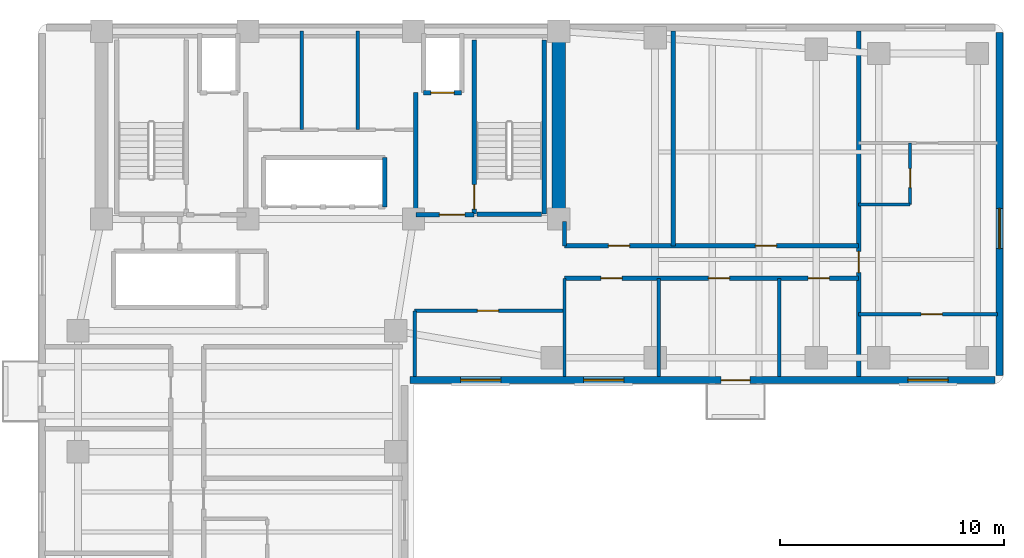
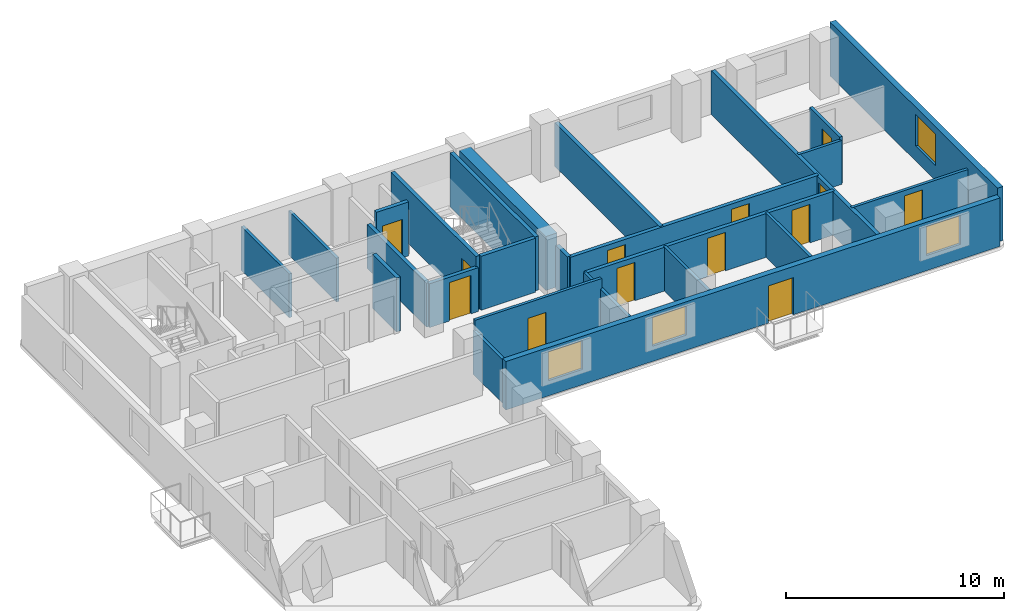
# One storey, part 4 of 7: 25 walls, 13 doors, 4 windows, 17 openings.
"""IFC4 building model written with IfcOpenShell, lengths in metres."""

import ifcopenshell
import ifcopenshell.guid

model = None  # the IFC model being written
_history = None  # IfcOwnerHistory: only IFC2X3 demands one
_inside = {}  # id of a spatial element -> (the spatial element, [elements in it])
_under = {}  # id of a project, library or spatial element -> (it, [spatial elements below it])
_declared = {}  # id of a project -> (the project, [libraries it declares])
_typed = {}  # id of a type object -> (the type object, [elements of that type])
_made_of = {}  # id of a material, layer set ... -> (it, [elements and type objects made of it])


def new_model(schema):
    """Start an empty IFC model of exactly this schema.

    Asked for "IFC4X3", IfcOpenShell would pick the latest addendum, in which some entities
    have other attributes; the version numbers below select the first issue.
    IFC2X3 requires an IfcOwnerHistory on every rooted entity: one is made here for all.
    """
    global model, _history
    if schema == "IFC4X3":
        model = ifcopenshell.file(schema_version=(4, 3, 0, 0))
    else:
        model = ifcopenshell.file(schema=schema)
    _inside.clear()
    _under.clear()
    _declared.clear()
    _typed.clear()
    _made_of.clear()
    _history = None
    if model.schema == "IFC2X3":
        org = make("IfcOrganization", Name="unknown")
        user = make(
            "IfcPersonAndOrganization",
            ThePerson=make("IfcPerson", FamilyName="unknown"),
            TheOrganization=org,
        )
        app = make(
            "IfcApplication",
            ApplicationDeveloper=org,
            Version="unknown",
            ApplicationFullName="unknown",
            ApplicationIdentifier="unknown",
        )
        _history = make(
            "IfcOwnerHistory",
            OwningUser=user,
            OwningApplication=app,
            ChangeAction="ADDED",
            CreationDate=0,
        )
    return model


def make(cls, **values):
    """One entity of the class cls with the attributes given. An attribute that is None is left unset."""
    return model.create_entity(
        cls, **{name: value for name, value in values.items() if value is not None}
    )


def rooted(cls, **values):
    """An entity with a GlobalId (a new one), such as an element, a storey or a relation."""
    return make(cls, GlobalId=ifcopenshell.guid.new(), OwnerHistory=_history, **values)


def si_unit(unit_type, name, prefix=None):
    """IfcSIUnit, for example si_unit("LENGTHUNIT", "METRE", prefix="MILLI")."""
    return make("IfcSIUnit", UnitType=unit_type, Prefix=prefix, Name=name)


def assignment(units):
    """IfcUnitAssignment: the units of a project."""
    return None if units is None else make("IfcUnitAssignment", Units=units)


def point(xyz):
    """IfcCartesianPoint."""
    return None if xyz is None else make("IfcCartesianPoint", Coordinates=xyz)


def direction(xyz):
    """IfcDirection."""
    return None if xyz is None else make("IfcDirection", DirectionRatios=xyz)


def frame(location, z_axis=None, x_axis=None):
    """IfcAxis2Placement3D, a coordinate frame: its origin and axes. An axis left out is left unset."""
    return make(
        "IfcAxis2Placement3D",
        Location=point(location),
        Axis=direction(z_axis),
        RefDirection=direction(x_axis),
    )


def frame_2d(location, x_axis=None):
    """IfcAxis2Placement2D, a coordinate frame in the plane: its origin and x axis."""
    return make(
        "IfcAxis2Placement2D", Location=point(location), RefDirection=direction(x_axis)
    )


def origin():
    """The frame at (0, 0, 0) with its axes left unset."""
    return frame((0.0, 0.0, 0.0))


def place(relative_to, where):
    """IfcLocalPlacement: puts the frame where relative to a parent placement (None: the world)."""
    return make(
        "IfcLocalPlacement", PlacementRelTo=relative_to, RelativePlacement=where
    )


def context(
    kind, dimensions, precision=None, world=None, true_north=None, identifier=None
):
    """IfcGeometricRepresentationContext, for example the 3D "Model" context."""
    return make(
        "IfcGeometricRepresentationContext",
        ContextIdentifier=identifier,
        ContextType=kind,
        CoordinateSpaceDimension=dimensions,
        Precision=precision,
        WorldCoordinateSystem=world,
        TrueNorth=true_north,
    )


def subcontext(parent, identifier, kind, view, scale=None):
    """IfcGeometricRepresentationSubContext, for example "Body" below "Model"."""
    return make(
        "IfcGeometricRepresentationSubContext",
        ContextIdentifier=identifier,
        ContextType=kind,
        ParentContext=parent,
        TargetScale=scale,
        TargetView=view,
    )


def project(units=None, contexts=None):
    """IfcProject with its units and contexts."""
    return rooted(
        "IfcProject",
        Name="project",
        RepresentationContexts=contexts,
        UnitsInContext=assignment(units),
    )


def spatial(cls, under=None, at=None, **own):
    """A site, building, storey or space (cls), placed at a placement, below another one or the project."""
    s = rooted(cls, ObjectPlacement=at, **own)
    if under is not None:
        _under.setdefault(under.id(), (under, []))[1].append(s)
    return s


def profile(cls, at=None, kind="AREA", **sizes):
    """A parametric profile (cls). Its sizes go by their IFC names, for example OverallWidth=200.0."""
    return make(cls, ProfileType=kind, Position=at, **sizes)


def rectangle(**sizes):
    """IfcRectangleProfileDef."""
    return profile("IfcRectangleProfileDef", **sizes)


def extrude(swept, where, along, depth):
    """IfcExtrudedAreaSolid: the profile swept, set in the frame where, extruded along a direction by depth."""
    return make(
        "IfcExtrudedAreaSolid",
        SweptArea=swept,
        Position=where,
        ExtrudedDirection=direction(along),
        Depth=depth,
    )


def shape(context_of_items, identifier, shape_type, items):
    """IfcShapeRepresentation: the items that make up one representation, for example the "Body"."""
    return make(
        "IfcShapeRepresentation",
        ContextOfItems=context_of_items,
        RepresentationIdentifier=identifier,
        RepresentationType=shape_type,
        Items=items,
    )


def material(Name=None, Category=None):
    """IfcMaterial."""
    return make("IfcMaterial", Name=Name, Category=Category)


def layer(
    of_material, thickness, ventilated=None, Name=None, Category=None, Priority=None
):
    """IfcMaterialLayer: one layer of a wall or slab, of a material (None: an air gap)."""
    return make(
        "IfcMaterialLayer",
        Material=of_material,
        LayerThickness=thickness,
        IsVentilated=ventilated,
        Name=Name,
        Category=Category,
        Priority=Priority,
    )


def layer_set(layers, Name=None):
    """IfcMaterialLayerSet."""
    return make("IfcMaterialLayerSet", MaterialLayers=layers, LayerSetName=Name)


def made_of(thing, what):
    """Note that an element or type object is made of a material, layer set ...; save() writes the relation."""
    if what is not None:
        _made_of.setdefault(what.id(), (what, []))[1].append(thing)
    return thing


def type_object(cls, material=None, **own):
    """A type object (cls), such as IfcWallType, which elements share."""
    return made_of(rooted(cls, **own), material)


def element(
    cls,
    number,
    at=None,
    inside=None,
    cuts=None,
    type_object=None,
    material=None,
    context=None,
    identifier="Body",
    shape_type=None,
    held_by="IfcProductDefinitionShape",
    body=None,
    shapes=None,
    **own,
):
    """One element of the class cls, such as IfcWall. Its Tag is "e" and its number.

    at: its placement. inside: the storey or other place that contains it. cuts: it is an
    opening in that element (IfcRelVoidsElement). A single representation is given by context,
    identifier, shape_type and body (its items); several are given by shapes. held_by: the class
    of the entity that holds the representations. save() writes the other relations.
    """
    e = rooted(cls, Tag="e%d" % number, ObjectPlacement=at, **own)
    if body is not None:
        shapes = [shape(context, identifier, shape_type, body)]
    if shapes is not None:
        e.Representation = make(held_by, Representations=shapes)
    if inside is not None:
        _inside.setdefault(inside.id(), (inside, []))[1].append(e)
    if cuts is not None:
        rooted(
            "IfcRelVoidsElement", RelatingBuildingElement=cuts, RelatedOpeningElement=e
        )
    if type_object is not None:
        _typed.setdefault(type_object.id(), (type_object, []))[1].append(e)
    return made_of(e, material)


def fill(opening, filler):
    """IfcRelFillsElement: the door or window that sits in an opening."""
    return rooted(
        "IfcRelFillsElement",
        RelatingOpeningElement=opening,
        RelatedBuildingElement=filler,
    )


def aggregate(whole, parts):
    """IfcRelAggregates: a whole, such as a stair, and the parts it consists of."""
    return rooted("IfcRelAggregates", RelatingObject=whole, RelatedObjects=parts)


def save(model, path):
    """Write the relations noted so far, then the file.

    IfcRelAggregates (storeys below a building ...), IfcRelContainedInSpatialStructure (elements
    in a storey), IfcRelDefinesByType, IfcRelAssociatesMaterial and IfcRelDeclares: one each for
    every whole, place, type object, material and project.
    """
    for whole, parts in _under.values():
        aggregate(whole, parts)
    for where, things in _inside.values():
        rooted(
            "IfcRelContainedInSpatialStructure",
            RelatedElements=things,
            RelatingStructure=where,
        )
    for kind, things in _typed.values():
        rooted("IfcRelDefinesByType", RelatedObjects=things, RelatingType=kind)
    for what, things in _made_of.values():
        rooted("IfcRelAssociatesMaterial", RelatedObjects=things, RelatingMaterial=what)
    for by, libraries in _declared.values():
        rooted("IfcRelDeclares", RelatingContext=by, RelatedDefinitions=libraries)
    model.write(path)


model = new_model("IFC4")

# Units and contexts
model_context = context("Model", 3, precision=1e-05, world=origin(), true_north=direction((0.0, 1.0)))
body_context = subcontext(model_context, "Body", "Model", "MODEL_VIEW")
ifc_project = project(units=[si_unit("LENGTHUNIT", "METRE"), si_unit("AREAUNIT", "SQUARE_METRE"), si_unit("VOLUMEUNIT", "CUBIC_METRE"), si_unit("PLANEANGLEUNIT", "RADIAN"), si_unit("MASSUNIT", "GRAM", prefix="KILO")], contexts=[model_context])

# Site, building, storey
site_placement = place(None, origin())
site = spatial("IfcSite", under=ifc_project, at=site_placement, CompositionType="ELEMENT")
building_placement = place(site_placement, origin())
building = spatial("IfcBuilding", under=site, at=building_placement, Name="Kuzgunbayir Cultural Tower", CompositionType="ELEMENT")
storey_placement = place(building_placement, frame((0.0, 0.0, 142.60009765625)))
storey = spatial("IfcBuildingStorey", under=building, at=storey_placement, Name="L41", CompositionType="ELEMENT", Elevation=142.60009765625)

# Wall
ifc_material_1 = material(Name="Concrete C60/75", Category="concrete")
ifc_layer_1 = layer(ifc_material_1, 0.60009765625)
ifc_layer_set_1 = layer_set([ifc_layer_1], Name="Concrete C60/75")
wall_type_1 = type_object("IfcWallType", Name="WAL-CORE-600", PredefinedType="SHEAR", material=ifc_layer_set_1)
wall_1_placement = place(storey_placement, frame((26.89990234375, 33.800048828125, 0.0), z_axis=(0.0, 0.0, 1.0), x_axis=(0.0, 1.0, 0.0)))
element("IfcWall", 1, at=wall_1_placement, inside=storey, type_object=wall_type_1, Name="L41 T1 Core East Shear Wall", PredefinedType="SHEAR", context=body_context, shape_type="SweptSolid", body=[
    extrude(rectangle(XDim=7.949951171875, YDim=0.60009765625, at=frame_2d((3.97509765625, 0.0))), origin(), (0.0, 0.0, 1.0), 3.02001953125),
])

# Wall, openings, door, windows
ifc_material_2 = material(Name="Anatolian Cream Limestone", Category="masonry")
ifc_layer_2 = layer(ifc_material_2, 0.300048828125)
ifc_layer_set_2 = layer_set([ifc_layer_2], Name="Anatolian Cream Limestone")
wall_type_2 = type_object("IfcWallType", Name="WAL-EXT-STONE-300", PredefinedType="STANDARD", material=ifc_layer_set_2)
wall_2_placement = place(storey_placement, frame((20.25, 26.60009765625, 0.0), z_axis=(0.0, 0.0, 1.0), x_axis=(1.0, 0.0, 0.0)))
wall_2 = element("IfcWall", 2, at=wall_2_placement, inside=storey, type_object=wall_type_2, Name="L41 Wing B South Limestone Wall", PredefinedType="STANDARD", context=body_context, shape_type="SweptSolid", body=[
    extrude(rectangle(XDim=26.14990234375, YDim=0.300048828125, at=frame_2d((13.074951171875, 0.0))), origin(), (0.0, 0.0, 1.0), 2.7099609375),
])
opening_1_placement = place(wall_2_placement, frame((13.89990234375, 0.0, 0.0)))
opening_1 = element("IfcOpeningElement", 3, at=opening_1_placement, cuts=wall_2, Name="Opening BD-13", PredefinedType="OPENING", context=body_context, shape_type="SweptSolid", body=[
    extrude(rectangle(XDim=1.300048828125, YDim=2.080078125, at=frame_2d((0.64990234375, 1.0400390625))), frame((0.0, 0.16015625, 0.0), z_axis=(0.0, -1.0, 0.0), x_axis=(1.0, 0.0, 0.0)), (0.0, 0.0, 1.0), 0.320068359375),
])
opening_2_placement = place(wall_2_placement, frame((2.25, 0.0, 0.85009765625)))
opening_2 = element("IfcOpeningElement", 4, at=opening_2_placement, cuts=wall_2, Name="Opening WH-18", PredefinedType="OPENING", context=body_context, shape_type="SweptSolid", body=[
    extrude(rectangle(XDim=1.800048828125, YDim=1.610107421875, at=frame_2d((0.89990234375, 0.80517578125))), frame((0.0, 0.16015625, 0.0), z_axis=(0.0, -1.0, 0.0), x_axis=(1.0, 0.0, 0.0)), (0.0, 0.0, 1.0), 0.320068359375),
])
opening_3_placement = place(wall_2_placement, frame((7.75, 0.0, 0.85009765625)))
opening_3 = element("IfcOpeningElement", 5, at=opening_3_placement, cuts=wall_2, Name="Opening WH-18", PredefinedType="OPENING", context=body_context, shape_type="SweptSolid", body=[
    extrude(rectangle(XDim=1.800048828125, YDim=1.610107421875, at=frame_2d((0.89990234375, 0.80517578125))), frame((0.0, 0.16015625, 0.0), z_axis=(0.0, -1.0, 0.0), x_axis=(1.0, 0.0, 0.0)), (0.0, 0.0, 1.0), 0.320068359375),
])
opening_4_placement = place(wall_2_placement, frame((22.25, 0.0, 0.85009765625)))
opening_4 = element("IfcOpeningElement", 6, at=opening_4_placement, cuts=wall_2, Name="Opening WH-18", PredefinedType="OPENING", context=body_context, shape_type="SweptSolid", body=[
    extrude(rectangle(XDim=1.800048828125, YDim=1.610107421875, at=frame_2d((0.89990234375, 0.80517578125))), frame((0.0, 0.16015625, 0.0), z_axis=(0.0, -1.0, 0.0), x_axis=(1.0, 0.0, 0.0)), (0.0, 0.0, 1.0), 0.320068359375),
])
ifc_material_3 = material(Name="Thermally Broken Glazed Aluminium", Category="aluminium")
door_type_1 = type_object("IfcDoorType", Name="DR-BALCONY-135", OperationType="SLIDING_TO_LEFT", PredefinedType="DOOR", material=ifc_material_3)
door_1_placement = place(opening_1_placement, origin())
door_1 = element("IfcDoor", 7, at=door_1_placement, inside=storey, type_object=door_type_1, Name="L41 South Balcony Sliding Door BAL-L41-WB2", OperationType="SLIDING_TO_LEFT", OverallHeight=2.080078125, OverallWidth=1.300048828125, PredefinedType="DOOR", context=body_context, shape_type="SweptSolid", body=[
    extrude(rectangle(XDim=1.300048828125, YDim=2.080078125, at=frame_2d((0.64990234375, 1.0400390625))), frame((0.0, 0.02490234375, 0.0), z_axis=(0.0, -1.0, 0.0), x_axis=(1.0, 0.0, 0.0)), (0.0, 0.0, 1.0), 0.050048828125),
])
fill(opening_1, door_1)
ifc_material_4 = material(Name="Solar-Control Triple Glazing", Category="glass")
window_type = type_object("IfcWindowType", Name="WIN-HOTEL-18", PartitioningType="SINGLE_PANEL", PredefinedType="WINDOW", material=ifc_material_4)
window_1_placement = place(opening_2_placement, origin())
window_1 = element("IfcWindow", 8, at=window_1_placement, inside=storey, type_object=window_type, Name="L41 WBS Facade Window 11", OverallHeight=1.610107421875, OverallWidth=1.800048828125, PartitioningType="SINGLE_PANEL", PredefinedType="WINDOW", context=body_context, shape_type="SweptSolid", body=[
    extrude(rectangle(XDim=1.800048828125, YDim=1.610107421875, at=frame_2d((0.89990234375, 0.80517578125))), frame((0.0, 0.030029296875, 0.0), z_axis=(0.0, -1.0, 0.0), x_axis=(1.0, 0.0, 0.0)), (0.0, 0.0, 1.0), 0.06005859375),
])
fill(opening_2, window_1)
window_2_placement = place(opening_3_placement, origin())
window_2 = element("IfcWindow", 9, at=window_2_placement, inside=storey, type_object=window_type, Name="L41 WBS Facade Window 12", OverallHeight=1.610107421875, OverallWidth=1.800048828125, PartitioningType="SINGLE_PANEL", PredefinedType="WINDOW", context=body_context, shape_type="SweptSolid", body=[
    extrude(rectangle(XDim=1.800048828125, YDim=1.610107421875, at=frame_2d((0.89990234375, 0.80517578125))), frame((0.0, 0.030029296875, 0.0), z_axis=(0.0, -1.0, 0.0), x_axis=(1.0, 0.0, 0.0)), (0.0, 0.0, 1.0), 0.06005859375),
])
fill(opening_3, window_2)
window_3_placement = place(opening_4_placement, origin())
window_3 = element("IfcWindow", 10, at=window_3_placement, inside=storey, type_object=window_type, Name="L41 WBS Facade Window 13", OverallHeight=1.610107421875, OverallWidth=1.800048828125, PartitioningType="SINGLE_PANEL", PredefinedType="WINDOW", context=body_context, shape_type="SweptSolid", body=[
    extrude(rectangle(XDim=1.800048828125, YDim=1.610107421875, at=frame_2d((0.89990234375, 0.80517578125))), frame((0.0, 0.030029296875, 0.0), z_axis=(0.0, -1.0, 0.0), x_axis=(1.0, 0.0, 0.0)), (0.0, 0.0, 1.0), 0.06005859375),
])
fill(opening_4, window_3)

# Wall, opening, window
wall_3_placement = place(storey_placement, frame((46.60009765625, 26.800048828125, 0.0), z_axis=(0.0, 0.0, 1.0), x_axis=(0.0, 1.0, 0.0)))
wall_3 = element("IfcWall", 11, at=wall_3_placement, inside=storey, type_object=wall_type_2, Name="L41 Wing B East Limestone Wall", PredefinedType="STANDARD", context=body_context, shape_type="SweptSolid", body=[
    extrude(rectangle(XDim=15.349853515625, YDim=0.300048828125, at=frame_2d((7.6748046875, 0.0))), origin(), (0.0, 0.0, 1.0), 3.02001953125),
])
opening_5_placement = place(wall_3_placement, frame((5.679931640625, 0.0, 0.85009765625)))
opening_5 = element("IfcOpeningElement", 12, at=opening_5_placement, cuts=wall_3, Name="Opening WH-18", PredefinedType="OPENING", context=body_context, shape_type="SweptSolid", body=[
    extrude(rectangle(XDim=1.800048828125, YDim=1.75, at=frame_2d((0.89990234375, 0.875))), frame((0.0, 0.16015625, 0.0), z_axis=(0.0, -1.0, 0.0), x_axis=(1.0, 0.0, 0.0)), (0.0, 0.0, 1.0), 0.320068359375),
])
window_4_placement = place(opening_5_placement, origin())
window_4 = element("IfcWindow", 13, at=window_4_placement, inside=storey, type_object=window_type, Name="L41 WBE Facade Window 4", OverallHeight=1.75, OverallWidth=1.800048828125, PartitioningType="SINGLE_PANEL", PredefinedType="WINDOW", context=body_context, shape_type="SweptSolid", body=[
    extrude(rectangle(XDim=1.800048828125, YDim=1.75, at=frame_2d((0.89990234375, 0.875))), frame((0.0, 0.030029296875, 0.0), z_axis=(0.0, -1.0, 0.0), x_axis=(1.0, 0.0, 0.0)), (0.0, 0.0, 1.0), 0.06005859375),
])
fill(opening_5, window_4)

# Walls
ifc_material_5 = material(Name="Acoustic Double-Stud Drywall", Category="gypsum")
ifc_layer_3 = layer(ifc_material_5, 0.14990234375)
ifc_layer_set_3 = layer_set([ifc_layer_3], Name="Acoustic Double-Stud Drywall")
wall_type_3 = type_object("IfcWallType", Name="WAL-PART-ACOUSTIC-150", PredefinedType="PARTITIONING", material=ifc_layer_set_3)
for number, where, z_axis, x_axis, name in (
    (14, (15.39990234375, 37.800048828125, 0.0), (0.0, 0.0, 1.0), (0.0, 1.0, 0.0), "L41 Core Pod Partition 1"),
    (15, (17.89990234375, 37.800048828125, 0.0), (0.0, 0.0, 1.0), (0.0, 1.0, 0.0), "L41 Core Pod Partition 2"),
):
    element("IfcWall", number, at=place(storey_placement, frame(where, z_axis=z_axis, x_axis=x_axis)), inside=storey, type_object=wall_type_3, Name=name, PredefinedType="PARTITIONING", context=body_context, shape_type="SweptSolid", body=[
        extrude(rectangle(XDim=4.39990234375, YDim=0.14990234375, at=frame_2d((2.199951171875, 0.0))), origin(), (0.0, 0.0, 1.0), 2.449951171875),
    ])

# Wall, opening, door
wall_4_placement = place(storey_placement, frame((20.449951171875, 29.699951171875, 0.0), z_axis=(0.0, 0.0, 1.0), x_axis=(1.0, 0.0, 0.0)))
wall_4 = element("IfcWall", 16, at=wall_4_placement, inside=storey, type_object=wall_type_3, Name="L41 Waist Alcove North Wall", PredefinedType="PARTITIONING", context=body_context, shape_type="SweptSolid", body=[
    extrude(rectangle(XDim=6.699951171875, YDim=0.14990234375, at=frame_2d((3.35009765625, 0.0))), origin(), (0.0, 0.0, 1.0), 3.02001953125),
])
opening_6_placement = place(wall_4_placement, frame((2.800048828125, 0.0, 0.0)))
opening_6 = element("IfcOpeningElement", 17, at=opening_6_placement, cuts=wall_4, Name="Opening DI-90", PredefinedType="OPENING", context=body_context, shape_type="SweptSolid", body=[
    extrude(rectangle(XDim=0.949951171875, YDim=2.14990234375, at=frame_2d((0.47509765625, 1.074951171875))), frame((0.0, 0.0849609375, 0.0), z_axis=(0.0, -1.0, 0.0), x_axis=(1.0, 0.0, 0.0)), (0.0, 0.0, 1.0), 0.169921875),
])
ifc_material_6 = material(Name="Veneered Oak Single Leaf", Category="wood")
door_type_2 = type_object("IfcDoorType", Name="DR-INT-90", OperationType="NOTDEFINED", PredefinedType="DOOR", material=ifc_material_6)
door_2_placement = place(opening_6_placement, origin())
door_2 = element("IfcDoor", 18, at=door_2_placement, inside=storey, type_object=door_type_2, Name="L41 Waist Alcove Door", OperationType="SINGLE_SWING_LEFT", OverallHeight=2.14990234375, OverallWidth=0.949951171875, PredefinedType="DOOR", context=body_context, shape_type="SweptSolid", body=[
    extrude(rectangle(XDim=0.949951171875, YDim=2.14990234375, at=frame_2d((0.47509765625, 1.074951171875))), frame((0.0, 0.02490234375, 0.0), z_axis=(0.0, -1.0, 0.0), x_axis=(1.0, 0.0, 0.0)), (0.0, 0.0, 1.0), 0.050048828125),
])
fill(opening_6, door_2)

# Walls
wall_5_placement = place(storey_placement, frame((20.449951171875, 26.75, 0.0), z_axis=(0.0, 0.0, 1.0), x_axis=(0.0, 1.0, 0.0)))
element("IfcWall", 19, at=wall_5_placement, inside=storey, type_object=wall_type_3, Name="L41 Waist Alcove West Wall", PredefinedType="PARTITIONING", context=body_context, shape_type="SweptSolid", body=[
    extrude(rectangle(XDim=2.949951171875, YDim=0.14990234375, at=frame_2d((1.47509765625, 0.0))), origin(), (0.0, 0.0, 1.0), 2.449951171875),
])
for number, where, z_axis, x_axis, name in (
    (20, (27.14990234375, 26.75, 0.0), (0.0, 0.0, 1.0), (0.0, 1.0, 0.0), "L41 Waist Alcove East Wall"),
    (21, (31.360107421875, 26.75, 0.0), (0.0, 0.0, 1.0), (0.0, 1.0, 0.0), "L41 Wing B South Divider 1"),
    (22, (36.75, 26.75, 0.0), (0.0, 0.0, 1.0), (0.0, 1.0, 0.0), "L41 Wing B South Divider 2"),
):
    element("IfcWall", number, at=place(storey_placement, frame(where, z_axis=z_axis, x_axis=x_axis)), inside=storey, type_object=wall_type_3, Name=name, PredefinedType="PARTITIONING", context=body_context, shape_type="SweptSolid", body=[
        extrude(rectangle(XDim=4.39990234375, YDim=0.14990234375, at=frame_2d((2.199951171875, 0.0))), origin(), (0.0, 0.0, 1.0), 2.449951171875),
    ])
ifc_material_7 = material(Name="Aerated Concrete Blockwork", Category="masonry")
ifc_layer_4 = layer(ifc_material_7, 0.199951171875)
ifc_layer_set_4 = layer_set([ifc_layer_4], Name="Aerated Concrete Blockwork")
wall_type_4 = type_object("IfcWallType", Name="WAL-PART-FIRE-200", PredefinedType="PARTITIONING", material=ifc_layer_set_4)
wall_6_placement = place(storey_placement, frame((20.5, 34.0, 0.0), z_axis=(0.0, 0.0, 1.0), x_axis=(0.0, 1.0, 0.0)))
element("IfcWall", 23, at=wall_6_placement, inside=storey, type_object=wall_type_4, Name="L41 FFL-2 Lobby West Fire Wall", PredefinedType="PARTITIONING", context=body_context, shape_type="SweptSolid", body=[
    extrude(rectangle(XDim=5.449951171875, YDim=0.199951171875, at=frame_2d((2.72509765625, 0.0))), origin(), (0.0, 0.0, 1.0), 2.449951171875),
])

# Wall, opening, door
wall_7_placement = place(storey_placement, frame((20.5, 34.0, 0.0), z_axis=(0.0, 0.0, 1.0), x_axis=(1.0, 0.0, 0.0)))
wall_7 = element("IfcWall", 24, at=wall_7_placement, inside=storey, type_object=wall_type_4, Name="L41 FFL-2 Lobby South Fire Wall", PredefinedType="PARTITIONING", context=body_context, shape_type="SweptSolid", body=[
    extrude(rectangle(XDim=2.60009765625, YDim=0.199951171875, at=frame_2d((1.300048828125, 0.0))), origin(), (0.0, 0.0, 1.0), 2.449951171875),
])
opening_7_placement = place(wall_7_placement, frame((1.050048828125, 0.0, 0.0)))
opening_7 = element("IfcOpeningElement", 25, at=opening_7_placement, cuts=wall_7, Name="Opening DR-FFL-90", PredefinedType="OPENING", context=body_context, shape_type="SweptSolid", body=[
    extrude(rectangle(XDim=1.14990234375, YDim=2.14990234375, at=frame_2d((0.574951171875, 1.074951171875))), frame((0.0, 0.10986328125, 0.0), z_axis=(0.0, -1.0, 0.0), x_axis=(1.0, 0.0, 0.0)), (0.0, 0.0, 1.0), 0.219970703125),
])
ifc_material_8 = material(Name="Steel S355J2", Category="steel")
door_type_3 = type_object("IfcDoorType", Name="DR-FFL-90", OperationType="NOTDEFINED", PredefinedType="DOOR", material=ifc_material_8)
door_3_placement = place(opening_7_placement, origin())
door_3 = element("IfcDoor", 26, at=door_3_placement, inside=storey, type_object=door_type_3, Name="L41 Firefighting Lobby 2 Door", OperationType="SINGLE_SWING_RIGHT", OverallHeight=2.14990234375, OverallWidth=1.14990234375, PredefinedType="DOOR", context=body_context, shape_type="SweptSolid", body=[
    extrude(rectangle(XDim=1.14990234375, YDim=2.14990234375, at=frame_2d((0.574951171875, 1.074951171875))), frame((0.0, 0.02490234375, 0.0), z_axis=(0.0, -1.0, 0.0), x_axis=(1.0, 0.0, 0.0)), (0.0, 0.0, 1.0), 0.050048828125),
])
fill(opening_7, door_3)

# Wall, openings, doors
wall_8_placement = place(storey_placement, frame((27.14990234375, 31.14990234375, 0.0), z_axis=(0.0, 0.0, 1.0), x_axis=(1.0, 0.0, 0.0)))
wall_8 = element("IfcWall", 27, at=wall_8_placement, inside=storey, type_object=wall_type_4, Name="L41 Wing B Hotel Corridor South Wall", PredefinedType="PARTITIONING", context=body_context, shape_type="SweptSolid", body=[
    extrude(rectangle(XDim=13.150146484375, YDim=0.199951171875, at=frame_2d((6.5751953125, 0.0))), origin(), (0.0, 0.0, 1.0), 2.449951171875),
])
opening_8_placement = place(wall_8_placement, frame((1.6298828125, 0.0, 0.0)))
opening_8 = element("IfcOpeningElement", 28, at=opening_8_placement, cuts=wall_8, Name="Opening DI-90", PredefinedType="OPENING", context=body_context, shape_type="SweptSolid", body=[
    extrude(rectangle(XDim=0.949951171875, YDim=2.14990234375, at=frame_2d((0.47509765625, 1.074951171875))), frame((0.0, 0.10986328125, 0.0), z_axis=(0.0, -1.0, 0.0), x_axis=(1.0, 0.0, 0.0)), (0.0, 0.0, 1.0), 0.219970703125),
])
opening_9_placement = place(wall_8_placement, frame((6.429931640625, 0.0, 0.0)))
opening_9 = element("IfcOpeningElement", 29, at=opening_9_placement, cuts=wall_8, Name="Opening DI-90", PredefinedType="OPENING", context=body_context, shape_type="SweptSolid", body=[
    extrude(rectangle(XDim=0.949951171875, YDim=2.14990234375, at=frame_2d((0.47509765625, 1.074951171875))), frame((0.0, 0.10986328125, 0.0), z_axis=(0.0, -1.0, 0.0), x_axis=(1.0, 0.0, 0.0)), (0.0, 0.0, 1.0), 0.219970703125),
])
opening_10_placement = place(wall_8_placement, frame((10.889892578125, 0.0, 0.0)))
opening_10 = element("IfcOpeningElement", 30, at=opening_10_placement, cuts=wall_8, Name="Opening DI-90", PredefinedType="OPENING", context=body_context, shape_type="SweptSolid", body=[
    extrude(rectangle(XDim=0.949951171875, YDim=2.14990234375, at=frame_2d((0.47509765625, 1.074951171875))), frame((0.0, 0.10986328125, 0.0), z_axis=(0.0, -1.0, 0.0), x_axis=(1.0, 0.0, 0.0)), (0.0, 0.0, 1.0), 0.219970703125),
])
door_4_placement = place(opening_8_placement, origin())
door_4 = element("IfcDoor", 31, at=door_4_placement, inside=storey, type_object=door_type_2, Name="L41 Fellows Reading Lounge B1 Door", OperationType="SINGLE_SWING_RIGHT", OverallHeight=2.14990234375, OverallWidth=0.949951171875, PredefinedType="DOOR", context=body_context, shape_type="SweptSolid", body=[
    extrude(rectangle(XDim=0.949951171875, YDim=2.14990234375, at=frame_2d((0.47509765625, 1.074951171875))), frame((0.0, 0.02490234375, 0.0), z_axis=(0.0, -1.0, 0.0), x_axis=(1.0, 0.0, 0.0)), (0.0, 0.0, 1.0), 0.050048828125),
])
fill(opening_8, door_4)
door_5_placement = place(opening_9_placement, origin())
door_5 = element("IfcDoor", 32, at=door_5_placement, inside=storey, type_object=door_type_2, Name="L41 Fellows Reading Lounge B2 Door", OperationType="SINGLE_SWING_LEFT", OverallHeight=2.14990234375, OverallWidth=0.949951171875, PredefinedType="DOOR", context=body_context, shape_type="SweptSolid", body=[
    extrude(rectangle(XDim=0.949951171875, YDim=2.14990234375, at=frame_2d((0.47509765625, 1.074951171875))), frame((0.0, 0.02490234375, 0.0), z_axis=(0.0, -1.0, 0.0), x_axis=(1.0, 0.0, 0.0)), (0.0, 0.0, 1.0), 0.050048828125),
])
fill(opening_9, door_5)
door_6_placement = place(opening_10_placement, origin())
door_6 = element("IfcDoor", 33, at=door_6_placement, inside=storey, type_object=door_type_2, Name="L41 Fellows Reading Lounge B3 Door", OperationType="SINGLE_SWING_RIGHT", OverallHeight=2.14990234375, OverallWidth=0.949951171875, PredefinedType="DOOR", context=body_context, shape_type="SweptSolid", body=[
    extrude(rectangle(XDim=0.949951171875, YDim=2.14990234375, at=frame_2d((0.47509765625, 1.074951171875))), frame((0.0, 0.02490234375, 0.0), z_axis=(0.0, -1.0, 0.0), x_axis=(1.0, 0.0, 0.0)), (0.0, 0.0, 1.0), 0.050048828125),
])
fill(opening_10, door_6)

wall_9_placement = place(storey_placement, frame((27.14990234375, 32.60009765625, 0.0), z_axis=(0.0, 0.0, 1.0), x_axis=(1.0, 0.0, 0.0)))
wall_9 = element("IfcWall", 34, at=wall_9_placement, inside=storey, type_object=wall_type_4, Name="L41 Wing B Hotel Corridor North Wall", PredefinedType="PARTITIONING", context=body_context, shape_type="SweptSolid", body=[
    extrude(rectangle(XDim=13.150146484375, YDim=0.199951171875, at=frame_2d((6.5751953125, 0.0))), origin(), (0.0, 0.0, 1.0), 2.449951171875),
])
opening_11_placement = place(wall_9_placement, frame((1.9599609375, 0.0, 0.0)))
opening_11 = element("IfcOpeningElement", 35, at=opening_11_placement, cuts=wall_9, Name="Opening DI-90", PredefinedType="OPENING", context=body_context, shape_type="SweptSolid", body=[
    extrude(rectangle(XDim=0.949951171875, YDim=2.14990234375, at=frame_2d((0.47509765625, 1.074951171875))), frame((0.0, 0.10986328125, 0.0), z_axis=(0.0, -1.0, 0.0), x_axis=(1.0, 0.0, 0.0)), (0.0, 0.0, 1.0), 0.219970703125),
])
opening_12_placement = place(wall_9_placement, frame((8.530029296875, 0.0, 0.0)))
opening_12 = element("IfcOpeningElement", 36, at=opening_12_placement, cuts=wall_9, Name="Opening DI-90", PredefinedType="OPENING", context=body_context, shape_type="SweptSolid", body=[
    extrude(rectangle(XDim=0.949951171875, YDim=2.14990234375, at=frame_2d((0.47509765625, 1.074951171875))), frame((0.0, 0.10986328125, 0.0), z_axis=(0.0, -1.0, 0.0), x_axis=(1.0, 0.0, 0.0)), (0.0, 0.0, 1.0), 0.219970703125),
])
door_7_placement = place(opening_11_placement, origin())
door_7 = element("IfcDoor", 37, at=door_7_placement, inside=storey, type_object=door_type_2, Name="L41 North Fellows Reading Lounge 1 Door", OperationType="SINGLE_SWING_LEFT", OverallHeight=2.14990234375, OverallWidth=0.949951171875, PredefinedType="DOOR", context=body_context, shape_type="SweptSolid", body=[
    extrude(rectangle(XDim=0.949951171875, YDim=2.14990234375, at=frame_2d((0.47509765625, 1.074951171875))), frame((0.0, 0.02490234375, 0.0), z_axis=(0.0, -1.0, 0.0), x_axis=(1.0, 0.0, 0.0)), (0.0, 0.0, 1.0), 0.050048828125),
])
fill(opening_11, door_7)
door_8_placement = place(opening_12_placement, origin())
door_8 = element("IfcDoor", 38, at=door_8_placement, inside=storey, type_object=door_type_2, Name="L41 North Wellness Consultation Studio 2 Door", OperationType="SINGLE_SWING_RIGHT", OverallHeight=2.14990234375, OverallWidth=0.949951171875, PredefinedType="DOOR", context=body_context, shape_type="SweptSolid", body=[
    extrude(rectangle(XDim=0.949951171875, YDim=2.14990234375, at=frame_2d((0.47509765625, 1.074951171875))), frame((0.0, 0.02490234375, 0.0), z_axis=(0.0, -1.0, 0.0), x_axis=(1.0, 0.0, 0.0)), (0.0, 0.0, 1.0), 0.050048828125),
])
fill(opening_12, door_8)

# Wall
wall_10_placement = place(storey_placement, frame((27.14990234375, 32.60009765625, 0.0), z_axis=(0.0, 0.0, 1.0), x_axis=(0.0, 1.0, 0.0)))
element("IfcWall", 39, at=wall_10_placement, inside=storey, type_object=wall_type_4, Name="L41 Wing B North Core Closure Wall", PredefinedType="PARTITIONING", context=body_context, shape_type="SweptSolid", body=[
    extrude(rectangle(XDim=1.079833984375, YDim=0.199951171875, at=frame_2d((0.5400390625, 0.0))), origin(), (0.0, 0.0, 1.0), 2.449951171875),
])

# Wall, opening, door
wall_11_placement = place(storey_placement, frame((40.300048828125, 26.75, 0.0), z_axis=(0.0, 0.0, 1.0), x_axis=(0.0, 1.0, 0.0)))
wall_11 = element("IfcWall", 40, at=wall_11_placement, inside=storey, type_object=wall_type_4, Name="L41 Wing B East Suite Wall", PredefinedType="PARTITIONING", context=body_context, shape_type="SweptSolid", body=[
    extrude(rectangle(XDim=15.449951171875, YDim=0.199951171875, at=frame_2d((7.72509765625, 0.0))), origin(), (0.0, 0.0, 1.0), 2.449951171875),
])
opening_13_placement = place(wall_11_placement, frame((4.64990234375, 0.0, 0.0)))
opening_13 = element("IfcOpeningElement", 41, at=opening_13_placement, cuts=wall_11, Name="Opening DR-APT-60", PredefinedType="OPENING", context=body_context, shape_type="SweptSolid", body=[
    extrude(rectangle(XDim=0.949951171875, YDim=2.14990234375, at=frame_2d((0.47509765625, 1.074951171875))), frame((0.0, 0.10986328125, 0.0), z_axis=(0.0, -1.0, 0.0), x_axis=(1.0, 0.0, 0.0)), (0.0, 0.0, 1.0), 0.219970703125),
])
ifc_material_9 = material(Name="Acoustic Fire Timber Leaf", Category="wood")
door_type_4 = type_object("IfcDoorType", Name="DR-APT-60", OperationType="NOTDEFINED", PredefinedType="DOOR", material=ifc_material_9)
door_9_placement = place(opening_13_placement, origin())
door_9 = element("IfcDoor", 42, at=door_9_placement, inside=storey, type_object=door_type_4, Name="L41 Corner Suite Entrance", OperationType="SINGLE_SWING_RIGHT", OverallHeight=2.14990234375, OverallWidth=0.949951171875, PredefinedType="DOOR", context=body_context, shape_type="SweptSolid", body=[
    extrude(rectangle(XDim=0.949951171875, YDim=2.14990234375, at=frame_2d((0.47509765625, 1.074951171875))), frame((0.0, 0.02490234375, 0.0), z_axis=(0.0, -1.0, 0.0), x_axis=(1.0, 0.0, 0.0)), (0.0, 0.0, 1.0), 0.050048828125),
])
fill(opening_13, door_9)

# Wall
wall_12_placement = place(storey_placement, frame((32.02001953125, 32.60009765625, 0.0), z_axis=(0.0, 0.0, 1.0), x_axis=(0.0, 1.0, 0.0)))
element("IfcWall", 43, at=wall_12_placement, inside=storey, type_object=wall_type_4, Name="L41 Wing B North Party Wall 1", PredefinedType="PARTITIONING", context=body_context, shape_type="SweptSolid", body=[
    extrude(rectangle(XDim=9.599853515625, YDim=0.199951171875, at=frame_2d((4.7998046875, 0.0))), origin(), (0.0, 0.0, 1.0), 2.449951171875),
])

# Wall, opening, door
ifc_material_10 = material(Name="Moisture-Resistant Tile Partition", Category="gypsum")
ifc_layer_5 = layer(ifc_material_10, 0.14990234375)
ifc_layer_set_5 = layer_set([ifc_layer_5], Name="Moisture-Resistant Tile Partition")
wall_type_5 = type_object("IfcWallType", Name="WAL-PART-WET-150", PredefinedType="PARTITIONING", material=ifc_layer_set_5)
wall_13_placement = place(storey_placement, frame((40.300048828125, 29.550048828125, 0.0), z_axis=(0.0, 0.0, 1.0), x_axis=(1.0, 0.0, 0.0)))
wall_13 = element("IfcWall", 44, at=wall_13_placement, inside=storey, type_object=wall_type_5, Name="L41 Corner Suite Kitchen Wall", PredefinedType="PARTITIONING", context=body_context, shape_type="SweptSolid", body=[
    extrude(rectangle(XDim=6.199951171875, YDim=0.14990234375, at=frame_2d((3.10009765625, 0.0))), origin(), (0.0, 0.0, 1.0), 2.449951171875),
])
opening_14_placement = place(wall_13_placement, frame((2.7900390625, 0.0, 0.0)))
opening_14 = element("IfcOpeningElement", 45, at=opening_14_placement, cuts=wall_13, Name="Opening DI-90", PredefinedType="OPENING", context=body_context, shape_type="SweptSolid", body=[
    extrude(rectangle(XDim=0.949951171875, YDim=2.14990234375, at=frame_2d((0.47509765625, 1.074951171875))), frame((0.0, 0.0849609375, 0.0), z_axis=(0.0, -1.0, 0.0), x_axis=(1.0, 0.0, 0.0)), (0.0, 0.0, 1.0), 0.169921875),
])
door_10_placement = place(opening_14_placement, origin())
door_10 = element("IfcDoor", 46, at=door_10_placement, inside=storey, type_object=door_type_2, Name="L41 Corner Suite Kitchen Door", OperationType="SINGLE_SWING_LEFT", OverallHeight=2.14990234375, OverallWidth=0.949951171875, PredefinedType="DOOR", context=body_context, shape_type="SweptSolid", body=[
    extrude(rectangle(XDim=0.949951171875, YDim=2.14990234375, at=frame_2d((0.47509765625, 1.074951171875))), frame((0.0, 0.02490234375, 0.0), z_axis=(0.0, -1.0, 0.0), x_axis=(1.0, 0.0, 0.0)), (0.0, 0.0, 1.0), 0.050048828125),
])
fill(opening_14, door_10)

# Wall
wall_14_placement = place(storey_placement, frame((40.300048828125, 34.449951171875, 0.0), z_axis=(0.0, 0.0, 1.0), x_axis=(1.0, 0.0, 0.0)))
element("IfcWall", 47, at=wall_14_placement, inside=storey, type_object=wall_type_5, Name="L41 Corner Suite Bath South Wall", PredefinedType="PARTITIONING", context=body_context, shape_type="SweptSolid", body=[
    extrude(rectangle(XDim=2.300048828125, YDim=0.14990234375, at=frame_2d((1.14990234375, 0.0))), origin(), (0.0, 0.0, 1.0), 2.449951171875),
])

# Wall, opening, door
wall_15_placement = place(storey_placement, frame((42.60009765625, 34.449951171875, 0.0), z_axis=(0.0, 0.0, 1.0), x_axis=(0.0, 1.0, 0.0)))
wall_15 = element("IfcWall", 48, at=wall_15_placement, inside=storey, type_object=wall_type_5, Name="L41 Corner Suite Bath East Wall", PredefinedType="PARTITIONING", context=body_context, shape_type="SweptSolid", body=[
    extrude(rectangle(XDim=2.75, YDim=0.14990234375, at=frame_2d((1.375, 0.0))), origin(), (0.0, 0.0, 1.0), 2.60986328125),
])
opening_15_placement = place(wall_15_placement, frame((0.75, 0.0, 0.0)))
opening_15 = element("IfcOpeningElement", 49, at=opening_15_placement, cuts=wall_15, Name="Opening DW-85", PredefinedType="OPENING", context=body_context, shape_type="SweptSolid", body=[
    extrude(rectangle(XDim=0.85009765625, YDim=2.10009765625, at=frame_2d((0.425048828125, 1.050048828125))), frame((0.0, 0.0849609375, 0.0), z_axis=(0.0, -1.0, 0.0), x_axis=(1.0, 0.0, 0.0)), (0.0, 0.0, 1.0), 0.169921875),
])
ifc_material_11 = material(Name="Laminate Moisture-Resistant Leaf", Category="wood")
door_type_5 = type_object("IfcDoorType", Name="DR-WET-85", OperationType="NOTDEFINED", PredefinedType="DOOR", material=ifc_material_11)
door_11_placement = place(opening_15_placement, origin())
door_11 = element("IfcDoor", 50, at=door_11_placement, inside=storey, type_object=door_type_5, Name="L41 Corner Suite Bathroom Door", OperationType="SINGLE_SWING_RIGHT", OverallHeight=2.10009765625, OverallWidth=0.85009765625, PredefinedType="DOOR", context=body_context, shape_type="SweptSolid", body=[
    extrude(rectangle(XDim=0.85009765625, YDim=2.10009765625, at=frame_2d((0.425048828125, 1.050048828125))), frame((0.0, 0.02490234375, 0.0), z_axis=(0.0, -1.0, 0.0), x_axis=(1.0, 0.0, 0.0)), (0.0, 0.0, 1.0), 0.050048828125),
])
fill(opening_15, door_11)

ifc_material_12 = material(Name="Concrete C40/50", Category="concrete")
ifc_layer_6 = layer(ifc_material_12, 0.199951171875)
ifc_layer_set_6 = layer_set([ifc_layer_6], Name="Concrete C40/50")
wall_type_6 = type_object("IfcWallType", Name="WAL-SHAFT-200", PredefinedType="MOVABLE", material=ifc_layer_set_6)
wall_16_placement = place(storey_placement, frame((20.85009765625, 39.449951171875, 0.0), z_axis=(0.0, 0.0, 1.0), x_axis=(1.0, 0.0, 0.0)))
wall_16 = element("IfcWall", 51, at=wall_16_placement, inside=storey, type_object=wall_type_6, Name="L41 FFL-2 Lift Front Wall", PredefinedType="MOVABLE", context=body_context, shape_type="SweptSolid", body=[
    extrude(rectangle(XDim=1.699951171875, YDim=0.199951171875, at=frame_2d((0.85009765625, 0.0))), origin(), (0.0, 0.0, 1.0), 3.02001953125),
])
opening_16_placement = place(wall_16_placement, frame((0.320068359375, 0.0, 0.0)))
opening_16 = element("IfcOpeningElement", 52, at=opening_16_placement, cuts=wall_16, Name="Opening LD", PredefinedType="OPENING", context=body_context, shape_type="SweptSolid", body=[
    extrude(rectangle(XDim=1.050048828125, YDim=2.14990234375, at=frame_2d((0.52490234375, 1.074951171875))), frame((0.0, 0.10986328125, 0.0), z_axis=(0.0, -1.0, 0.0), x_axis=(1.0, 0.0, 0.0)), (0.0, 0.0, 1.0), 0.219970703125),
])
ifc_material_13 = material(Name="Brushed Stainless Steel", Category="steel")
door_type_6 = type_object("IfcDoorType", Name="DR-LIFT-LANDING", OperationType="SLIDING_TO_LEFT", PredefinedType="DOOR", material=ifc_material_13)
door_12_placement = place(opening_16_placement, origin())
door_12 = element("IfcDoor", 53, at=door_12_placement, inside=storey, type_object=door_type_6, Name="L41 Lift FFL-2 Landing Door", OperationType="SLIDING_TO_LEFT", OverallHeight=2.14990234375, OverallWidth=1.050048828125, PredefinedType="DOOR", context=body_context, shape_type="SweptSolid", body=[
    extrude(rectangle(XDim=1.050048828125, YDim=2.14990234375, at=frame_2d((0.52490234375, 1.074951171875))), frame((0.0, 0.02490234375, 0.0), z_axis=(0.0, -1.0, 0.0), x_axis=(1.0, 0.0, 0.0)), (0.0, 0.0, 1.0), 0.050048828125),
])
fill(opening_16, door_12)

# Wall
wall_17_placement = place(storey_placement, frame((19.1201171875, 34.35009765625, 0.0), z_axis=(0.0, 0.0, 1.0), x_axis=(0.0, 1.0, 0.0)))
element("IfcWall", 54, at=wall_17_placement, inside=storey, type_object=wall_type_6, Name="L41 Mid-Rise Lift Shaft East Wall", PredefinedType="MOVABLE", context=body_context, shape_type="SweptSolid", body=[
    extrude(rectangle(XDim=2.199951171875, YDim=0.199951171875, at=frame_2d((1.10009765625, 0.0))), origin(), (0.0, 0.0, 1.0), 3.02001953125),
])

# Wall, opening, door
ifc_layer_7 = layer(ifc_material_12, 0.199951171875)
ifc_layer_set_7 = layer_set([ifc_layer_7], Name="Concrete C40/50")
wall_type_7 = type_object("IfcWallType", Name="WAL-STAIR-RC-200", PredefinedType="SHEAR", material=ifc_layer_set_7)
wall_18_placement = place(storey_placement, frame((23.1201171875, 34.02001953125, 0.0), z_axis=(0.0, 0.0, 1.0), x_axis=(0.0, 1.0, 0.0)))
wall_18 = element("IfcWall", 55, at=wall_18_placement, inside=storey, type_object=wall_type_7, Name="L41 Stair ST-2 West Structural Wall", PredefinedType="SHEAR", context=body_context, shape_type="SweptSolid", body=[
    extrude(rectangle(XDim=7.780029296875, YDim=0.199951171875, at=frame_2d((3.89013671875, 0.0))), origin(), (0.0, 0.0, 1.0), 3.02001953125),
])
opening_17_placement = place(wall_18_placement, frame((0.219970703125, 0.0, 0.0)))
opening_17 = element("IfcOpeningElement", 56, at=opening_17_placement, cuts=wall_18, Name="Opening DR-STAIR-90", PredefinedType="OPENING", context=body_context, shape_type="SweptSolid", body=[
    extrude(rectangle(XDim=1.10009765625, YDim=2.14990234375, at=frame_2d((0.550048828125, 1.074951171875))), frame((0.0, 0.10986328125, 0.0), z_axis=(0.0, -1.0, 0.0), x_axis=(1.0, 0.0, 0.0)), (0.0, 0.0, 1.0), 0.219970703125),
])
door_type_7 = type_object("IfcDoorType", Name="DR-STAIR-90", OperationType="NOTDEFINED", PredefinedType="DOOR", material=ifc_material_8)
door_13_placement = place(opening_17_placement, origin())
door_13 = element("IfcDoor", 57, at=door_13_placement, inside=storey, type_object=door_type_7, Name="L41 Stair ST-2 Fire Door", OperationType="SINGLE_SWING_LEFT", OverallHeight=2.14990234375, OverallWidth=1.10009765625, PredefinedType="DOOR", context=body_context, shape_type="SweptSolid", body=[
    extrude(rectangle(XDim=1.10009765625, YDim=2.14990234375, at=frame_2d((0.550048828125, 1.074951171875))), frame((0.0, 0.02490234375, 0.0), z_axis=(0.0, -1.0, 0.0), x_axis=(1.0, 0.0, 0.0)), (0.0, 0.0, 1.0), 0.050048828125),
])
fill(opening_17, door_13)

# Walls
wall_19_placement = place(storey_placement, frame((26.239990234375, 34.02001953125, 0.0), z_axis=(0.0, 0.0, 1.0), x_axis=(0.0, 1.0, 0.0)))
element("IfcWall", 58, at=wall_19_placement, inside=storey, type_object=wall_type_7, Name="L41 Stair ST-2 East Structural Wall", PredefinedType="SHEAR", context=body_context, shape_type="SweptSolid", body=[
    extrude(rectangle(XDim=7.780029296875, YDim=0.199951171875, at=frame_2d((3.89013671875, 0.0))), origin(), (0.0, 0.0, 1.0), 3.02001953125),
])
wall_20_placement = place(storey_placement, frame((23.239990234375, 34.02001953125, 0.0), z_axis=(0.0, 0.0, 1.0), x_axis=(1.0, 0.0, 0.0)))
element("IfcWall", 59, at=wall_20_placement, inside=storey, type_object=wall_type_7, Name="L41 Stair ST-2 South Structural Wall", PredefinedType="SHEAR", context=body_context, shape_type="SweptSolid", body=[
    extrude(rectangle(XDim=2.880126953125, YDim=0.199951171875, at=frame_2d((1.43994140625, 0.0))), origin(), (0.0, 0.0, 1.0), 3.02001953125),
])

save(model, "model.ifc")
